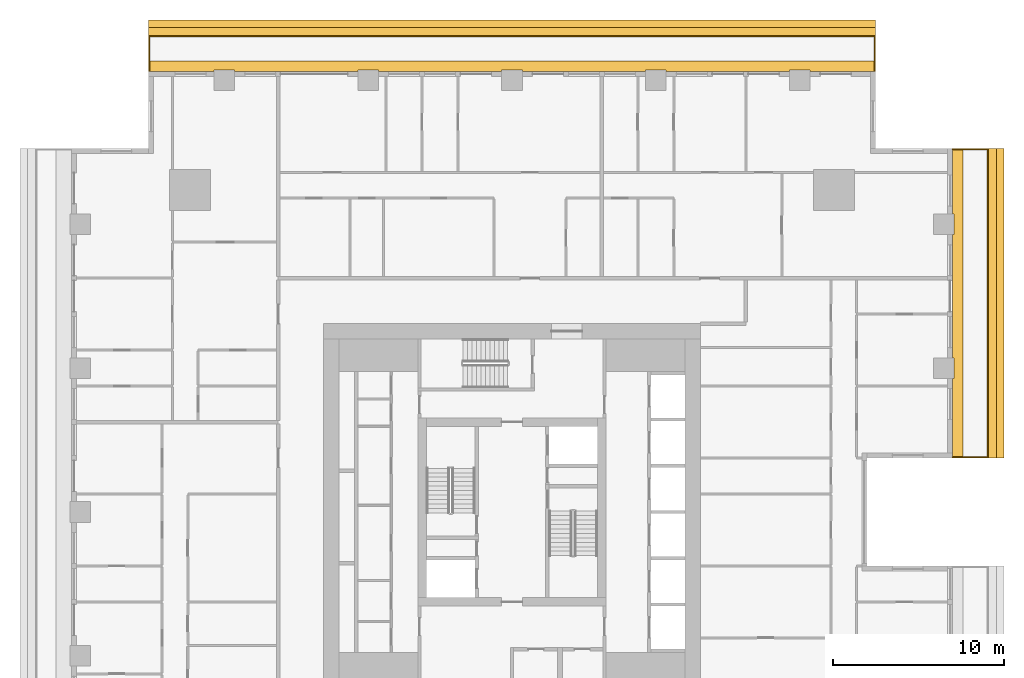
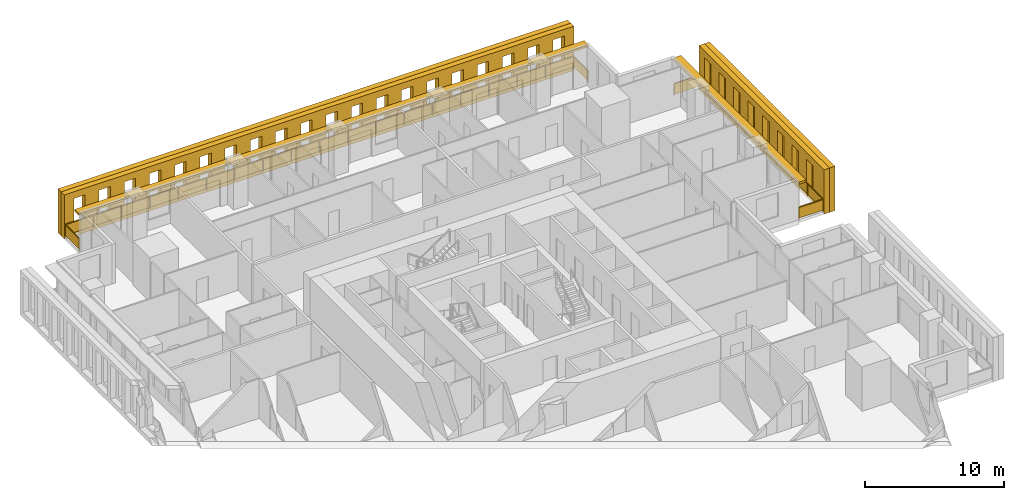
# One storey, part 16 of 16: 6 shading devices, 2 railings.
"""IFC4 building model written with IfcOpenShell, lengths in metres."""

from ifc_helpers import new_model, si_unit, direction, frame, origin, origin_2d, place, context, subcontext, project, spatial, polyline, rectangle, outline, extrude, material, layer, layer_set, type_object, element, save


model = new_model("IFC4")

# Units and contexts
model_context = context("Model", 3, precision=1e-05, world=origin(), true_north=direction((0.0, 1.0)))
body_context = subcontext(model_context, "Body", "Model", "MODEL_VIEW")
ifc_project = project(units=[si_unit("LENGTHUNIT", "METRE"), si_unit("AREAUNIT", "SQUARE_METRE"), si_unit("VOLUMEUNIT", "CUBIC_METRE"), si_unit("PLANEANGLEUNIT", "RADIAN"), si_unit("MASSUNIT", "GRAM", prefix="KILO")], contexts=[model_context])

# Site, building, storey
site_placement = place(None, origin())
site = spatial("IfcSite", under=ifc_project, at=site_placement, CompositionType="ELEMENT")
building_placement = place(site_placement, origin())
building = spatial("IfcBuilding", under=site, at=building_placement, Name="Khepri Terraces", CompositionType="ELEMENT")
storey_placement = place(building_placement, frame((0.0, 0.0, 192.300048828125)))
storey = spatial("IfcBuildingStorey", under=building, at=storey_placement, Name="L45", CompositionType="ELEMENT", Elevation=192.300048828125)

# Railings
ifc_material_1 = material(Name="Stainless steel grade 316", Category="steel")
railing_type = type_object("IfcRailingType", Name="GRD-BAL-1100", PredefinedType="GUARDRAIL", material=ifc_material_1)
railing_1_placement = place(storey_placement, frame((25.719970703125, 3.199951171875, 0.0)))
element("IfcRailing", 1, at=railing_1_placement, inside=storey, type_object=railing_type, Name="Balcony guard L45 E", PredefinedType="GUARDRAIL", context=body_context, shape_type="SweptSolid", body=[
    extrude(rectangle(XDim=0.050048828125, YDim=0.06005859375, at=origin_2d()), frame((0.0, 0.0, 1.070068359375), z_axis=(1.0, 0.0, 0.0), x_axis=(0.0, 1.0, 0.0)), (0.0, 0.0, 1.0), 2.050048828125),
    extrude(rectangle(XDim=2.0, YDim=0.011962890625, at=origin_2d()), frame((1.02490234375, 0.0, 0.10009765625), z_axis=(0.0, 0.0, 1.0), x_axis=(1.0, 0.0, 0.0)), (0.0, 0.0, 1.0), 0.93994140625),
    extrude(rectangle(XDim=0.050048828125, YDim=0.06005859375, at=origin_2d()), frame((2.050048828125, 0.0, 1.070068359375), z_axis=(0.0, 1.0, 0.0), x_axis=(-1.0, 0.0, 0.0)), (0.0, 0.0, 1.0), 17.969970703125),
    extrude(rectangle(XDim=2.1962890625, YDim=0.011962890625, at=origin_2d()), frame((2.050048828125, 1.123046875, 0.10009765625), z_axis=(0.0, 0.0, 1.0), x_axis=(0.0, 1.0, 0.0)), (0.0, 0.0, 1.0), 0.93994140625),
    extrude(rectangle(XDim=2.1962890625, YDim=0.011962890625, at=origin_2d()), frame((2.050048828125, 3.369384765625, 0.10009765625), z_axis=(0.0, 0.0, 1.0), x_axis=(0.0, 1.0, 0.0)), (0.0, 0.0, 1.0), 0.93994140625),
    extrude(rectangle(XDim=2.1962890625, YDim=0.011962890625, at=origin_2d()), frame((2.050048828125, 5.61572265625, 0.10009765625), z_axis=(0.0, 0.0, 1.0), x_axis=(0.0, 1.0, 0.0)), (0.0, 0.0, 1.0), 0.93994140625),
    extrude(rectangle(XDim=2.1962890625, YDim=0.011962890625, at=origin_2d()), frame((2.050048828125, 7.86181640625, 0.10009765625), z_axis=(0.0, 0.0, 1.0), x_axis=(0.0, 1.0, 0.0)), (0.0, 0.0, 1.0), 0.93994140625),
    extrude(rectangle(XDim=2.1962890625, YDim=0.011962890625, at=origin_2d()), frame((2.050048828125, 10.108154296875, 0.10009765625), z_axis=(0.0, 0.0, 1.0), x_axis=(0.0, 1.0, 0.0)), (0.0, 0.0, 1.0), 0.93994140625),
    extrude(rectangle(XDim=2.1962890625, YDim=0.011962890625, at=origin_2d()), frame((2.050048828125, 12.354248046875, 0.10009765625), z_axis=(0.0, 0.0, 1.0), x_axis=(0.0, 1.0, 0.0)), (0.0, 0.0, 1.0), 0.93994140625),
    extrude(rectangle(XDim=2.1962890625, YDim=0.011962890625, at=origin_2d()), frame((2.050048828125, 14.6005859375, 0.10009765625), z_axis=(0.0, 0.0, 1.0), x_axis=(0.0, 1.0, 0.0)), (0.0, 0.0, 1.0), 0.93994140625),
    extrude(rectangle(XDim=2.1962890625, YDim=0.011962890625, at=origin_2d()), frame((2.050048828125, 16.846923828125, 0.10009765625), z_axis=(0.0, 0.0, 1.0), x_axis=(0.0, 1.0, 0.0)), (0.0, 0.0, 1.0), 0.93994140625),
    extrude(rectangle(XDim=0.050048828125, YDim=0.06005859375, at=origin_2d()), frame((2.050048828125, 17.969970703125, 1.070068359375), z_axis=(-1.0, 0.0, 0.0), x_axis=(0.0, -1.0, 0.0)), (0.0, 0.0, 1.0), 2.050048828125),
    extrude(rectangle(XDim=2.0, YDim=0.011962890625, at=origin_2d()), frame((1.02490234375, 17.969970703125, 0.10009765625), z_axis=(0.0, 0.0, 1.0), x_axis=(-1.0, 0.0, 0.0)), (0.0, 0.0, 1.0), 0.93994140625),
    extrude(rectangle(XDim=0.050048828125, YDim=0.050048828125, at=origin_2d()), origin(), (0.0, 0.0, 1.0), 1.0400390625),
    extrude(rectangle(XDim=0.050048828125, YDim=0.050048828125, at=origin_2d()), frame((2.050048828125, 0.0, 0.0)), (0.0, 0.0, 1.0), 1.0400390625),
    extrude(rectangle(XDim=0.050048828125, YDim=0.050048828125, at=origin_2d()), frame((2.050048828125, 2.246337890625, 0.0)), (0.0, 0.0, 1.0), 1.0400390625),
    extrude(rectangle(XDim=0.050048828125, YDim=0.050048828125, at=origin_2d()), frame((2.050048828125, 4.492431640625, 0.0)), (0.0, 0.0, 1.0), 1.0400390625),
    extrude(rectangle(XDim=0.050048828125, YDim=0.050048828125, at=origin_2d()), frame((2.050048828125, 6.73876953125, 0.0)), (0.0, 0.0, 1.0), 1.0400390625),
    extrude(rectangle(XDim=0.050048828125, YDim=0.050048828125, at=origin_2d()), frame((2.050048828125, 8.98486328125, 0.0)), (0.0, 0.0, 1.0), 1.0400390625),
    extrude(rectangle(XDim=0.050048828125, YDim=0.050048828125, at=origin_2d()), frame((2.050048828125, 11.231201171875, 0.0)), (0.0, 0.0, 1.0), 1.0400390625),
    extrude(rectangle(XDim=0.050048828125, YDim=0.050048828125, at=origin_2d()), frame((2.050048828125, 13.4775390625, 0.0)), (0.0, 0.0, 1.0), 1.0400390625),
    extrude(rectangle(XDim=0.050048828125, YDim=0.050048828125, at=origin_2d()), frame((2.050048828125, 15.7236328125, 0.0)), (0.0, 0.0, 1.0), 1.0400390625),
    extrude(rectangle(XDim=0.050048828125, YDim=0.050048828125, at=origin_2d()), frame((2.050048828125, 17.969970703125, 0.0)), (0.0, 0.0, 1.0), 1.0400390625),
    extrude(rectangle(XDim=0.050048828125, YDim=0.050048828125, at=origin_2d()), frame((0.0, 17.969970703125, 0.0)), (0.0, 0.0, 1.0), 1.0400390625),
])
railing_2_placement = place(storey_placement, frame((21.169921875, 25.719970703125, 0.0)))
element("IfcRailing", 2, at=railing_2_placement, inside=storey, type_object=railing_type, Name="Balcony guard L45 N", PredefinedType="GUARDRAIL", context=body_context, shape_type="SweptSolid", body=[
    extrude(rectangle(XDim=0.050048828125, YDim=0.06005859375, at=origin_2d()), frame((0.0, 0.0, 1.070068359375), z_axis=(0.0, 1.0, 0.0), x_axis=(-1.0, 0.0, 0.0)), (0.0, 0.0, 1.0), 2.050048828125),
    extrude(rectangle(XDim=2.0, YDim=0.011962890625, at=origin_2d()), frame((0.0, 1.02490234375, 0.10009765625), z_axis=(0.0, 0.0, 1.0), x_axis=(0.0, 1.0, 0.0)), (0.0, 0.0, 1.0), 0.93994140625),
    extrude(rectangle(XDim=0.050048828125, YDim=0.06005859375, at=origin_2d()), frame((0.0, 2.050048828125, 1.070068359375), z_axis=(-1.0, 0.0, 0.0), x_axis=(0.0, -1.0, 0.0)), (0.0, 0.0, 1.0), 42.33984375),
    extrude(rectangle(XDim=2.30224609375, YDim=0.011962890625, at=origin_2d()), frame((-1.176025390625, 2.050048828125, 0.10009765625), z_axis=(0.0, 0.0, 1.0), x_axis=(-1.0, 0.0, 0.0)), (0.0, 0.0, 1.0), 0.93994140625),
    extrude(rectangle(XDim=2.30224609375, YDim=0.011962890625, at=origin_2d()), frame((-3.5283203125, 2.050048828125, 0.10009765625), z_axis=(0.0, 0.0, 1.0), x_axis=(-1.0, 0.0, 0.0)), (0.0, 0.0, 1.0), 0.93994140625),
    extrude(rectangle(XDim=2.30224609375, YDim=0.011962890625, at=origin_2d()), frame((-5.880615234375, 2.050048828125, 0.10009765625), z_axis=(0.0, 0.0, 1.0), x_axis=(-1.0, 0.0, 0.0)), (0.0, 0.0, 1.0), 0.93994140625),
    extrude(rectangle(XDim=2.30224609375, YDim=0.011962890625, at=origin_2d()), frame((-8.232666015625, 2.050048828125, 0.10009765625), z_axis=(0.0, 0.0, 1.0), x_axis=(-1.0, 0.0, 0.0)), (0.0, 0.0, 1.0), 0.93994140625),
    extrude(rectangle(XDim=2.30224609375, YDim=0.011962890625, at=origin_2d()), frame((-10.5849609375, 2.050048828125, 0.10009765625), z_axis=(0.0, 0.0, 1.0), x_axis=(-1.0, 0.0, 0.0)), (0.0, 0.0, 1.0), 0.93994140625),
    extrude(rectangle(XDim=2.30224609375, YDim=0.011962890625, at=origin_2d()), frame((-12.937255859375, 2.050048828125, 0.10009765625), z_axis=(0.0, 0.0, 1.0), x_axis=(-1.0, 0.0, 0.0)), (0.0, 0.0, 1.0), 0.93994140625),
    extrude(rectangle(XDim=2.30224609375, YDim=0.011962890625, at=origin_2d()), frame((-15.289306640625, 2.050048828125, 0.10009765625), z_axis=(0.0, 0.0, 1.0), x_axis=(-1.0, 0.0, 0.0)), (0.0, 0.0, 1.0), 0.93994140625),
    extrude(rectangle(XDim=2.30224609375, YDim=0.011962890625, at=origin_2d()), frame((-17.6416015625, 2.050048828125, 0.10009765625), z_axis=(0.0, 0.0, 1.0), x_axis=(-1.0, 0.0, 0.0)), (0.0, 0.0, 1.0), 0.93994140625),
    extrude(rectangle(XDim=2.30224609375, YDim=0.011962890625, at=origin_2d()), frame((-19.993896484375, 2.050048828125, 0.10009765625), z_axis=(0.0, 0.0, 1.0), x_axis=(-1.0, 0.0, 0.0)), (0.0, 0.0, 1.0), 0.93994140625),
    extrude(rectangle(XDim=2.30224609375, YDim=0.011962890625, at=origin_2d()), frame((-22.345947265625, 2.050048828125, 0.10009765625), z_axis=(0.0, 0.0, 1.0), x_axis=(-1.0, 0.0, 0.0)), (0.0, 0.0, 1.0), 0.93994140625),
    extrude(rectangle(XDim=2.30224609375, YDim=0.011962890625, at=origin_2d()), frame((-24.6982421875, 2.050048828125, 0.10009765625), z_axis=(0.0, 0.0, 1.0), x_axis=(-1.0, 0.0, 0.0)), (0.0, 0.0, 1.0), 0.93994140625),
    extrude(rectangle(XDim=2.30224609375, YDim=0.011962890625, at=origin_2d()), frame((-27.050537109375, 2.050048828125, 0.10009765625), z_axis=(0.0, 0.0, 1.0), x_axis=(-1.0, 0.0, 0.0)), (0.0, 0.0, 1.0), 0.93994140625),
    extrude(rectangle(XDim=2.30224609375, YDim=0.011962890625, at=origin_2d()), frame((-29.402587890625, 2.050048828125, 0.10009765625), z_axis=(0.0, 0.0, 1.0), x_axis=(-1.0, 0.0, 0.0)), (0.0, 0.0, 1.0), 0.93994140625),
    extrude(rectangle(XDim=2.30224609375, YDim=0.011962890625, at=origin_2d()), frame((-31.7548828125, 2.050048828125, 0.10009765625), z_axis=(0.0, 0.0, 1.0), x_axis=(-1.0, 0.0, 0.0)), (0.0, 0.0, 1.0), 0.93994140625),
    extrude(rectangle(XDim=2.30224609375, YDim=0.011962890625, at=origin_2d()), frame((-34.107177734375, 2.050048828125, 0.10009765625), z_axis=(0.0, 0.0, 1.0), x_axis=(-1.0, 0.0, 0.0)), (0.0, 0.0, 1.0), 0.93994140625),
    extrude(rectangle(XDim=2.30224609375, YDim=0.011962890625, at=origin_2d()), frame((-36.459228515625, 2.050048828125, 0.10009765625), z_axis=(0.0, 0.0, 1.0), x_axis=(-1.0, 0.0, 0.0)), (0.0, 0.0, 1.0), 0.93994140625),
    extrude(rectangle(XDim=2.30224609375, YDim=0.011962890625, at=origin_2d()), frame((-38.8115234375, 2.050048828125, 0.10009765625), z_axis=(0.0, 0.0, 1.0), x_axis=(-1.0, 0.0, 0.0)), (0.0, 0.0, 1.0), 0.93994140625),
    extrude(rectangle(XDim=2.30224609375, YDim=0.011962890625, at=origin_2d()), frame((-41.163818359375, 2.050048828125, 0.10009765625), z_axis=(0.0, 0.0, 1.0), x_axis=(-1.0, 0.0, 0.0)), (0.0, 0.0, 1.0), 0.93994140625),
    extrude(rectangle(XDim=0.050048828125, YDim=0.06005859375, at=origin_2d()), frame((-42.33984375, 2.050048828125, 1.070068359375), z_axis=(0.0, -1.0, 0.0), x_axis=(1.0, 0.0, 0.0)), (0.0, 0.0, 1.0), 2.050048828125),
    extrude(rectangle(XDim=2.0, YDim=0.011962890625, at=origin_2d()), frame((-42.33984375, 1.02490234375, 0.10009765625), z_axis=(0.0, 0.0, 1.0), x_axis=(0.0, -1.0, 0.0)), (0.0, 0.0, 1.0), 0.93994140625),
    extrude(rectangle(XDim=0.050048828125, YDim=0.050048828125, at=origin_2d()), origin(), (0.0, 0.0, 1.0), 1.0400390625),
    extrude(rectangle(XDim=0.050048828125, YDim=0.050048828125, at=origin_2d()), frame((0.0, 2.050048828125, 0.0)), (0.0, 0.0, 1.0), 1.0400390625),
    extrude(rectangle(XDim=0.050048828125, YDim=0.050048828125, at=origin_2d()), frame((-2.352294921875, 2.050048828125, 0.0)), (0.0, 0.0, 1.0), 1.0400390625),
    extrude(rectangle(XDim=0.050048828125, YDim=0.050048828125, at=origin_2d()), frame((-4.704345703125, 2.050048828125, 0.0)), (0.0, 0.0, 1.0), 1.0400390625),
    extrude(rectangle(XDim=0.050048828125, YDim=0.050048828125, at=origin_2d()), frame((-7.056640625, 2.050048828125, 0.0)), (0.0, 0.0, 1.0), 1.0400390625),
    extrude(rectangle(XDim=0.050048828125, YDim=0.050048828125, at=origin_2d()), frame((-9.408935546875, 2.050048828125, 0.0)), (0.0, 0.0, 1.0), 1.0400390625),
    extrude(rectangle(XDim=0.050048828125, YDim=0.050048828125, at=origin_2d()), frame((-11.760986328125, 2.050048828125, 0.0)), (0.0, 0.0, 1.0), 1.0400390625),
    extrude(rectangle(XDim=0.050048828125, YDim=0.050048828125, at=origin_2d()), frame((-14.11328125, 2.050048828125, 0.0)), (0.0, 0.0, 1.0), 1.0400390625),
    extrude(rectangle(XDim=0.050048828125, YDim=0.050048828125, at=origin_2d()), frame((-16.465576171875, 2.050048828125, 0.0)), (0.0, 0.0, 1.0), 1.0400390625),
    extrude(rectangle(XDim=0.050048828125, YDim=0.050048828125, at=origin_2d()), frame((-18.817626953125, 2.050048828125, 0.0)), (0.0, 0.0, 1.0), 1.0400390625),
    extrude(rectangle(XDim=0.050048828125, YDim=0.050048828125, at=origin_2d()), frame((-21.169921875, 2.050048828125, 0.0)), (0.0, 0.0, 1.0), 1.0400390625),
    extrude(rectangle(XDim=0.050048828125, YDim=0.050048828125, at=origin_2d()), frame((-23.522216796875, 2.050048828125, 0.0)), (0.0, 0.0, 1.0), 1.0400390625),
    extrude(rectangle(XDim=0.050048828125, YDim=0.050048828125, at=origin_2d()), frame((-25.874267578125, 2.050048828125, 0.0)), (0.0, 0.0, 1.0), 1.0400390625),
    extrude(rectangle(XDim=0.050048828125, YDim=0.050048828125, at=origin_2d()), frame((-28.2265625, 2.050048828125, 0.0)), (0.0, 0.0, 1.0), 1.0400390625),
    extrude(rectangle(XDim=0.050048828125, YDim=0.050048828125, at=origin_2d()), frame((-30.578857421875, 2.050048828125, 0.0)), (0.0, 0.0, 1.0), 1.0400390625),
    extrude(rectangle(XDim=0.050048828125, YDim=0.050048828125, at=origin_2d()), frame((-32.930908203125, 2.050048828125, 0.0)), (0.0, 0.0, 1.0), 1.0400390625),
    extrude(rectangle(XDim=0.050048828125, YDim=0.050048828125, at=origin_2d()), frame((-35.283203125, 2.050048828125, 0.0)), (0.0, 0.0, 1.0), 1.0400390625),
    extrude(rectangle(XDim=0.050048828125, YDim=0.050048828125, at=origin_2d()), frame((-37.635498046875, 2.050048828125, 0.0)), (0.0, 0.0, 1.0), 1.0400390625),
    extrude(rectangle(XDim=0.050048828125, YDim=0.050048828125, at=origin_2d()), frame((-39.987548828125, 2.050048828125, 0.0)), (0.0, 0.0, 1.0), 1.0400390625),
    extrude(rectangle(XDim=0.050048828125, YDim=0.050048828125, at=origin_2d()), frame((-42.33984375, 2.050048828125, 0.0)), (0.0, 0.0, 1.0), 1.0400390625),
    extrude(rectangle(XDim=0.050048828125, YDim=0.050048828125, at=origin_2d()), frame((-42.33984375, 0.0, 0.0)), (0.0, 0.0, 1.0), 1.0400390625),
])

# Shading devices
ifc_material_2 = material(Name="Precast concrete C50/60 warm stone", Category="masonry")
shading_device_type_1 = type_object("IfcShadingDeviceType", Name="SCR-CELL-INNER-450", PredefinedType="USERDEFINED", material=ifc_material_2)
shading_device_1_placement = place(storey_placement, frame((27.820068359375, 3.14990234375, -0.25), z_axis=(1.0, 0.0, 0.0), x_axis=(0.0, 1.0, 0.0)))
element("IfcShadingDevice", 3, at=shading_device_1_placement, inside=storey, type_object=shading_device_type_1, Name="Cell screen L45 E in", ObjectType="SCREEN", PredefinedType="USERDEFINED", context=body_context, shape_type="SweptSolid", body=[
    extrude(outline(polyline([(0.0, 0.0), (18.070068359375, 0.0), (18.070068359375, 3.89990234375), (0.0, 3.89990234375), (0.0, 0.0)]), holes=[polyline([(1.62744140625, 0.699951171875), (2.572509765625, 0.699951171875), (2.572509765625, 3.300048828125), (1.62744140625, 3.300048828125), (1.62744140625, 0.699951171875)]), polyline([(3.7275390625, 0.699951171875), (4.672607421875, 0.699951171875), (4.672607421875, 3.300048828125), (3.7275390625, 3.300048828125), (3.7275390625, 0.699951171875)]), polyline([(5.827392578125, 0.699951171875), (6.7724609375, 0.699951171875), (6.7724609375, 3.300048828125), (5.827392578125, 3.300048828125), (5.827392578125, 0.699951171875)]), polyline([(7.927490234375, 0.699951171875), (8.87255859375, 0.699951171875), (8.87255859375, 3.300048828125), (7.927490234375, 3.300048828125), (7.927490234375, 0.699951171875)]), polyline([(10.027587890625, 0.699951171875), (10.972412109375, 0.699951171875), (10.972412109375, 3.300048828125), (10.027587890625, 3.300048828125), (10.027587890625, 0.699951171875)]), polyline([(12.12744140625, 0.699951171875), (13.072509765625, 0.699951171875), (13.072509765625, 3.300048828125), (12.12744140625, 3.300048828125), (12.12744140625, 0.699951171875)]), polyline([(14.2275390625, 0.699951171875), (15.172607421875, 0.699951171875), (15.172607421875, 3.300048828125), (14.2275390625, 3.300048828125), (14.2275390625, 0.699951171875)]), polyline([(16.327392578125, 0.699951171875), (17.2724609375, 0.699951171875), (17.2724609375, 3.300048828125), (16.327392578125, 3.300048828125), (16.327392578125, 0.699951171875)])]), origin(), (0.0, 0.0, 1.0), 0.449951171875),
])
shading_device_2_placement = place(storey_placement, frame((21.219970703125, 27.820068359375, -0.25), z_axis=(0.0, 1.0, 0.0), x_axis=(-1.0, 0.0, 0.0)))
element("IfcShadingDevice", 4, at=shading_device_2_placement, inside=storey, type_object=shading_device_type_1, Name="Cell screen L45 N in", ObjectType="SCREEN", PredefinedType="USERDEFINED", context=body_context, shape_type="SweptSolid", body=[
    extrude(outline(polyline([(0.0, 0.0), (42.43994140625, 0.0), (42.43994140625, 3.89990234375), (0.0, 3.89990234375), (0.0, 0.0)]), holes=[polyline([(0.797607421875, 0.699951171875), (1.742431640625, 0.699951171875), (1.742431640625, 3.300048828125), (0.797607421875, 3.300048828125), (0.797607421875, 0.699951171875)]), polyline([(2.8974609375, 0.699951171875), (3.842529296875, 0.699951171875), (3.842529296875, 3.300048828125), (2.8974609375, 3.300048828125), (2.8974609375, 0.699951171875)]), polyline([(4.99755859375, 0.699951171875), (5.9423828125, 0.699951171875), (5.9423828125, 3.300048828125), (4.99755859375, 3.300048828125), (4.99755859375, 0.699951171875)]), polyline([(7.097412109375, 0.699951171875), (8.04248046875, 0.699951171875), (8.04248046875, 3.300048828125), (7.097412109375, 3.300048828125), (7.097412109375, 0.699951171875)]), polyline([(9.197509765625, 0.699951171875), (10.142578125, 0.699951171875), (10.142578125, 3.300048828125), (9.197509765625, 3.300048828125), (9.197509765625, 0.699951171875)]), polyline([(11.297607421875, 0.699951171875), (12.242431640625, 0.699951171875), (12.242431640625, 3.300048828125), (11.297607421875, 3.300048828125), (11.297607421875, 0.699951171875)]), polyline([(13.3974609375, 0.699951171875), (14.342529296875, 0.699951171875), (14.342529296875, 3.300048828125), (13.3974609375, 3.300048828125), (13.3974609375, 0.699951171875)]), polyline([(15.49755859375, 0.699951171875), (16.4423828125, 0.699951171875), (16.4423828125, 3.300048828125), (15.49755859375, 3.300048828125), (15.49755859375, 0.699951171875)]), polyline([(17.597412109375, 0.699951171875), (18.54248046875, 0.699951171875), (18.54248046875, 3.300048828125), (17.597412109375, 3.300048828125), (17.597412109375, 0.699951171875)]), polyline([(19.697509765625, 0.699951171875), (20.642578125, 0.699951171875), (20.642578125, 3.300048828125), (19.697509765625, 3.300048828125), (19.697509765625, 0.699951171875)]), polyline([(21.797607421875, 0.699951171875), (22.742431640625, 0.699951171875), (22.742431640625, 3.300048828125), (21.797607421875, 3.300048828125), (21.797607421875, 0.699951171875)]), polyline([(23.8974609375, 0.699951171875), (24.842529296875, 0.699951171875), (24.842529296875, 3.300048828125), (23.8974609375, 3.300048828125), (23.8974609375, 0.699951171875)]), polyline([(25.99755859375, 0.699951171875), (26.9423828125, 0.699951171875), (26.9423828125, 3.300048828125), (25.99755859375, 3.300048828125), (25.99755859375, 0.699951171875)]), polyline([(28.097412109375, 0.699951171875), (29.04248046875, 0.699951171875), (29.04248046875, 3.300048828125), (28.097412109375, 3.300048828125), (28.097412109375, 0.699951171875)]), polyline([(30.197509765625, 0.699951171875), (31.142578125, 0.699951171875), (31.142578125, 3.300048828125), (30.197509765625, 3.300048828125), (30.197509765625, 0.699951171875)]), polyline([(32.297607421875, 0.699951171875), (33.242431640625, 0.699951171875), (33.242431640625, 3.300048828125), (32.297607421875, 3.300048828125), (32.297607421875, 0.699951171875)]), polyline([(34.3974609375, 0.699951171875), (35.342529296875, 0.699951171875), (35.342529296875, 3.300048828125), (34.3974609375, 3.300048828125), (34.3974609375, 0.699951171875)]), polyline([(36.49755859375, 0.699951171875), (37.4423828125, 0.699951171875), (37.4423828125, 3.300048828125), (36.49755859375, 3.300048828125), (36.49755859375, 0.699951171875)]), polyline([(38.597412109375, 0.699951171875), (39.54248046875, 0.699951171875), (39.54248046875, 3.300048828125), (38.597412109375, 3.300048828125), (38.597412109375, 0.699951171875)]), polyline([(40.697509765625, 0.699951171875), (41.642578125, 0.699951171875), (41.642578125, 3.300048828125), (40.697509765625, 3.300048828125), (40.697509765625, 0.699951171875)])]), origin(), (0.0, 0.0, 1.0), 0.449951171875),
])
shading_device_type_2 = type_object("IfcShadingDeviceType", Name="SCR-CELL-OUTER-450", PredefinedType="USERDEFINED", material=ifc_material_2)
shading_device_3_placement = place(storey_placement, frame((28.27001953125, 3.14990234375, -0.25), z_axis=(1.0, 0.0, 0.0), x_axis=(0.0, 1.0, 0.0)))
element("IfcShadingDevice", 5, at=shading_device_3_placement, inside=storey, type_object=shading_device_type_2, Name="Cell screen L45 E out", ObjectType="SCREEN", PredefinedType="USERDEFINED", context=body_context, shape_type="SweptSolid", body=[
    extrude(outline(polyline([(0.0, 0.0), (18.070068359375, 0.0), (18.070068359375, 3.89990234375), (0.0, 3.89990234375), (0.0, 0.0)]), holes=[polyline([(1.277587890625, 0.449951171875), (2.922607421875, 0.449951171875), (2.922607421875, 3.550048828125), (1.277587890625, 3.550048828125), (1.277587890625, 0.449951171875)]), polyline([(3.37744140625, 0.449951171875), (5.0224609375, 0.449951171875), (5.0224609375, 3.550048828125), (3.37744140625, 3.550048828125), (3.37744140625, 0.449951171875)]), polyline([(5.4775390625, 0.449951171875), (7.12255859375, 0.449951171875), (7.12255859375, 3.550048828125), (5.4775390625, 3.550048828125), (5.4775390625, 0.449951171875)]), polyline([(7.577392578125, 0.449951171875), (9.222412109375, 0.449951171875), (9.222412109375, 3.550048828125), (7.577392578125, 3.550048828125), (7.577392578125, 0.449951171875)]), polyline([(9.677490234375, 0.449951171875), (11.322509765625, 0.449951171875), (11.322509765625, 3.550048828125), (9.677490234375, 3.550048828125), (9.677490234375, 0.449951171875)]), polyline([(11.777587890625, 0.449951171875), (13.422607421875, 0.449951171875), (13.422607421875, 3.550048828125), (11.777587890625, 3.550048828125), (11.777587890625, 0.449951171875)]), polyline([(13.87744140625, 0.449951171875), (15.5224609375, 0.449951171875), (15.5224609375, 3.550048828125), (13.87744140625, 3.550048828125), (13.87744140625, 0.449951171875)]), polyline([(15.9775390625, 0.449951171875), (17.62255859375, 0.449951171875), (17.62255859375, 3.550048828125), (15.9775390625, 3.550048828125), (15.9775390625, 0.449951171875)])]), origin(), (0.0, 0.0, 1.0), 0.449951171875),
])
shading_device_4_placement = place(storey_placement, frame((21.219970703125, 28.27001953125, -0.25), z_axis=(0.0, 1.0, 0.0), x_axis=(-1.0, 0.0, 0.0)))
element("IfcShadingDevice", 6, at=shading_device_4_placement, inside=storey, type_object=shading_device_type_2, Name="Cell screen L45 N out", ObjectType="SCREEN", PredefinedType="USERDEFINED", context=body_context, shape_type="SweptSolid", body=[
    extrude(outline(polyline([(0.0, 0.0), (42.43994140625, 0.0), (42.43994140625, 3.89990234375), (0.0, 3.89990234375), (0.0, 0.0)]), holes=[polyline([(0.447509765625, 0.449951171875), (2.092529296875, 0.449951171875), (2.092529296875, 3.550048828125), (0.447509765625, 3.550048828125), (0.447509765625, 0.449951171875)]), polyline([(2.547607421875, 0.449951171875), (4.1923828125, 0.449951171875), (4.1923828125, 3.550048828125), (2.547607421875, 3.550048828125), (2.547607421875, 0.449951171875)]), polyline([(4.6474609375, 0.449951171875), (6.29248046875, 0.449951171875), (6.29248046875, 3.550048828125), (4.6474609375, 3.550048828125), (4.6474609375, 0.449951171875)]), polyline([(6.74755859375, 0.449951171875), (8.392578125, 0.449951171875), (8.392578125, 3.550048828125), (6.74755859375, 3.550048828125), (6.74755859375, 0.449951171875)]), polyline([(8.847412109375, 0.449951171875), (10.492431640625, 0.449951171875), (10.492431640625, 3.550048828125), (8.847412109375, 3.550048828125), (8.847412109375, 0.449951171875)]), polyline([(10.947509765625, 0.449951171875), (12.592529296875, 0.449951171875), (12.592529296875, 3.550048828125), (10.947509765625, 3.550048828125), (10.947509765625, 0.449951171875)]), polyline([(13.047607421875, 0.449951171875), (14.6923828125, 0.449951171875), (14.6923828125, 3.550048828125), (13.047607421875, 3.550048828125), (13.047607421875, 0.449951171875)]), polyline([(15.1474609375, 0.449951171875), (16.79248046875, 0.449951171875), (16.79248046875, 3.550048828125), (15.1474609375, 3.550048828125), (15.1474609375, 0.449951171875)]), polyline([(17.24755859375, 0.449951171875), (18.892578125, 0.449951171875), (18.892578125, 3.550048828125), (17.24755859375, 3.550048828125), (17.24755859375, 0.449951171875)]), polyline([(19.347412109375, 0.449951171875), (20.992431640625, 0.449951171875), (20.992431640625, 3.550048828125), (19.347412109375, 3.550048828125), (19.347412109375, 0.449951171875)]), polyline([(21.447509765625, 0.449951171875), (23.092529296875, 0.449951171875), (23.092529296875, 3.550048828125), (21.447509765625, 3.550048828125), (21.447509765625, 0.449951171875)]), polyline([(23.547607421875, 0.449951171875), (25.1923828125, 0.449951171875), (25.1923828125, 3.550048828125), (23.547607421875, 3.550048828125), (23.547607421875, 0.449951171875)]), polyline([(25.6474609375, 0.449951171875), (27.29248046875, 0.449951171875), (27.29248046875, 3.550048828125), (25.6474609375, 3.550048828125), (25.6474609375, 0.449951171875)]), polyline([(27.74755859375, 0.449951171875), (29.392578125, 0.449951171875), (29.392578125, 3.550048828125), (27.74755859375, 3.550048828125), (27.74755859375, 0.449951171875)]), polyline([(29.847412109375, 0.449951171875), (31.492431640625, 0.449951171875), (31.492431640625, 3.550048828125), (29.847412109375, 3.550048828125), (29.847412109375, 0.449951171875)]), polyline([(31.947509765625, 0.449951171875), (33.592529296875, 0.449951171875), (33.592529296875, 3.550048828125), (31.947509765625, 3.550048828125), (31.947509765625, 0.449951171875)]), polyline([(34.047607421875, 0.449951171875), (35.6923828125, 0.449951171875), (35.6923828125, 3.550048828125), (34.047607421875, 3.550048828125), (34.047607421875, 0.449951171875)]), polyline([(36.1474609375, 0.449951171875), (37.79248046875, 0.449951171875), (37.79248046875, 3.550048828125), (36.1474609375, 3.550048828125), (36.1474609375, 0.449951171875)]), polyline([(38.24755859375, 0.449951171875), (39.892578125, 0.449951171875), (39.892578125, 3.550048828125), (38.24755859375, 3.550048828125), (38.24755859375, 0.449951171875)]), polyline([(40.347412109375, 0.449951171875), (41.992431640625, 0.449951171875), (41.992431640625, 3.550048828125), (40.347412109375, 3.550048828125), (40.347412109375, 0.449951171875)])]), origin(), (0.0, 0.0, 1.0), 0.449951171875),
])
ifc_layer = layer(ifc_material_2, 0.199951171875, Name="Precast concrete C50/60 warm stone", Category="masonry")
ifc_layer_set = layer_set([ifc_layer], Name="Precast concrete C50/60 warm stone")
shading_device_type_3 = type_object("IfcShadingDeviceType", Name="SSH-BAND-STONE-200-N", PredefinedType="USERDEFINED", material=ifc_layer_set)
shading_device_5_placement = place(storey_placement, frame((0.0, 0.0, 3.099853515625)))
element("IfcShadingDevice", 7, at=shading_device_5_placement, inside=storey, type_object=shading_device_type_3, Name="Sunshade band L45 E", ObjectType="SUNSHADE", PredefinedType="USERDEFINED", context=body_context, shape_type="SweptSolid", body=[
    extrude(outline(polyline([(25.719970703125, 7.800048828125), (25.719970703125, 3.14990234375), (26.320068359375, 3.14990234375), (26.320068359375, 21.219970703125), (25.719970703125, 21.219970703125), (25.719970703125, 17.39990234375), (25.800048828125, 17.39990234375), (25.800048828125, 16.199951171875), (25.719970703125, 16.199951171875), (25.719970703125, 9.0), (25.800048828125, 9.0), (25.800048828125, 7.800048828125), (25.719970703125, 7.800048828125)])), origin(), (0.0, 0.0, 1.0), 0.2001953125),
])
shading_device_6_placement = place(storey_placement, frame((0.0, 0.0, 3.099853515625)))
element("IfcShadingDevice", 8, at=shading_device_6_placement, inside=storey, type_object=shading_device_type_3, Name="Sunshade band L45 N", ObjectType="SUNSHADE", PredefinedType="USERDEFINED", context=body_context, shape_type="SweptSolid", body=[
    extrude(outline(polyline([(17.39990234375, 25.719970703125), (21.219970703125, 25.719970703125), (21.219970703125, 26.320068359375), (-21.219970703125, 26.320068359375), (-21.219970703125, 25.719970703125), (-17.39990234375, 25.719970703125), (-17.39990234375, 25.800048828125), (-16.199951171875, 25.800048828125), (-16.199951171875, 25.719970703125), (-9.0, 25.719970703125), (-9.0, 25.800048828125), (-7.800048828125, 25.800048828125), (-7.800048828125, 25.719970703125), (-0.60009765625, 25.719970703125), (-0.60009765625, 25.800048828125), (0.60009765625, 25.800048828125), (0.60009765625, 25.719970703125), (7.800048828125, 25.719970703125), (7.800048828125, 25.800048828125), (9.0, 25.800048828125), (9.0, 25.719970703125), (16.199951171875, 25.719970703125), (16.199951171875, 25.800048828125), (17.39990234375, 25.800048828125), (17.39990234375, 25.719970703125)])), origin(), (0.0, 0.0, 1.0), 0.2001953125),
])

save(model, "model.ifc")
